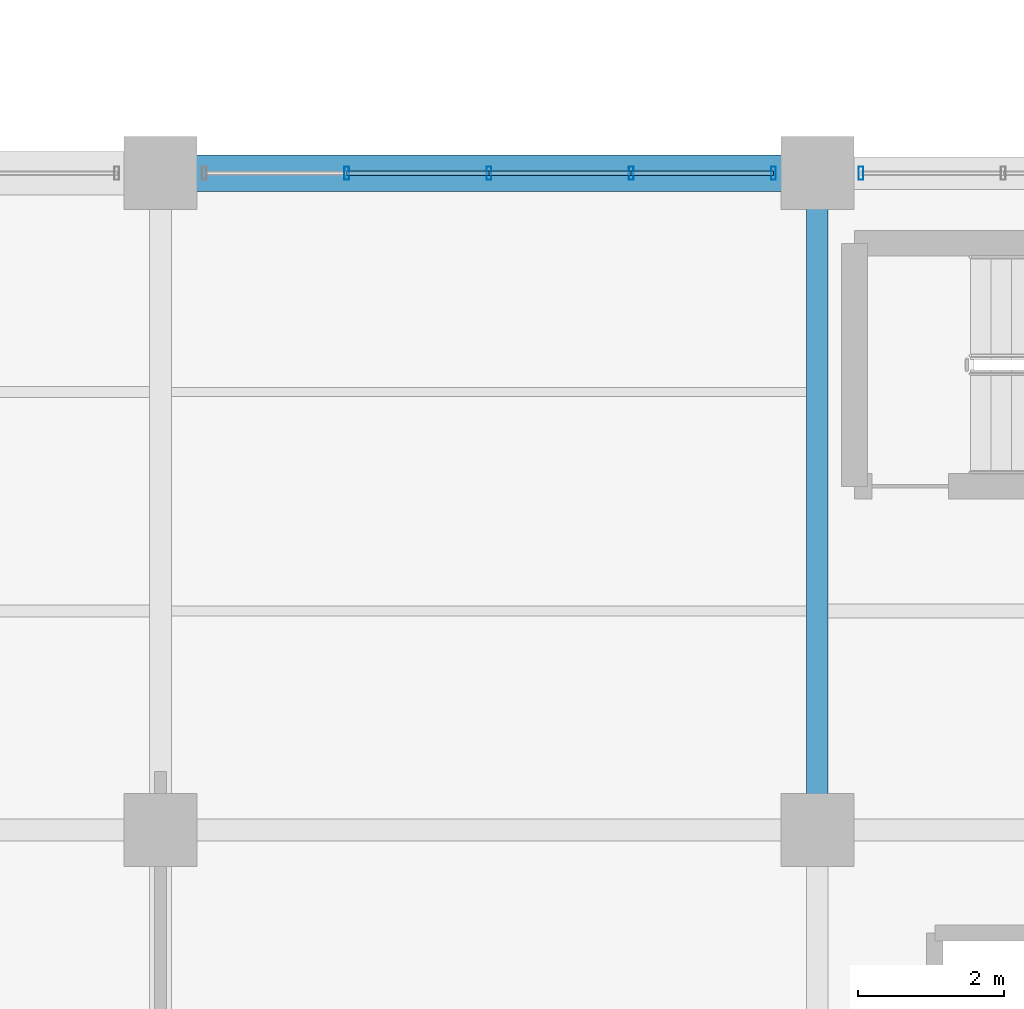
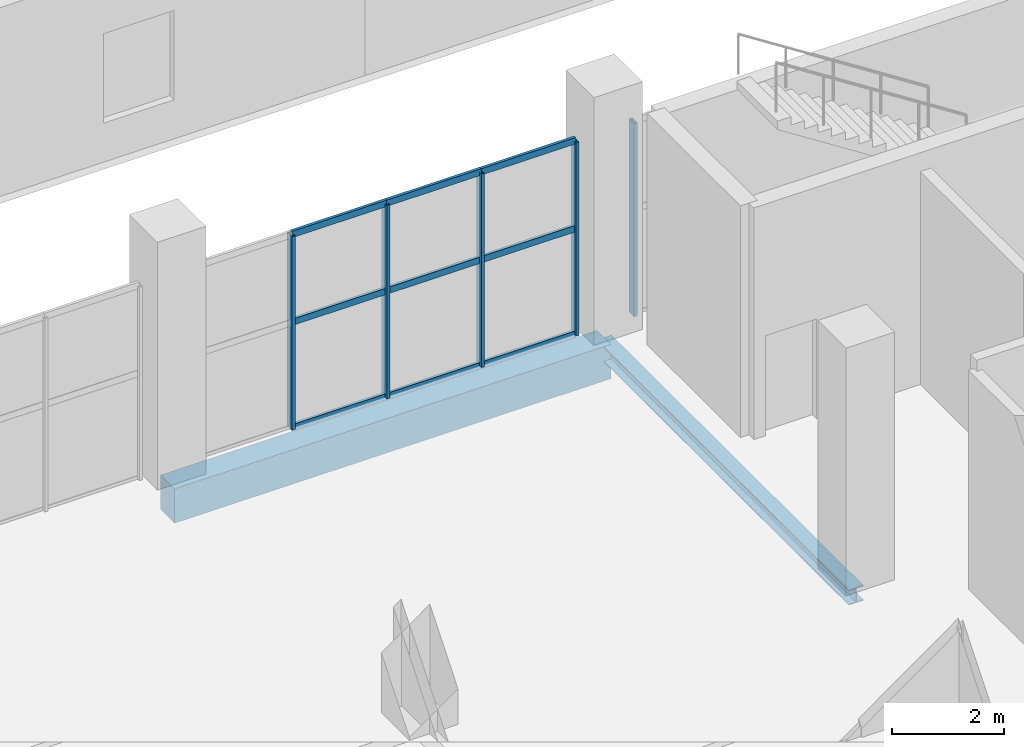
# One storey, part 54 of 147: 14 members, 2 beams, 2 elements without a shape of their own.
"""IFC4 building model written with IfcOpenShell, lengths in metres."""

from ifc_helpers import new_model, si_unit, direction, frame, origin, origin_2d, place, context, subcontext, project, spatial, rectangle, hollow_rectangle, i_section, extrude, material, layer, layer_set, material_profile, profile_set, type_object, element, aggregate, save


model = new_model("IFC4")

# Units and contexts
model_context = context("Model", 3, precision=1e-05, world=origin(), true_north=direction((0.0, 1.0)))
body_context = subcontext(model_context, "Body", "Model", "MODEL_VIEW")
ifc_project = project(units=[si_unit("LENGTHUNIT", "METRE"), si_unit("AREAUNIT", "SQUARE_METRE"), si_unit("VOLUMEUNIT", "CUBIC_METRE"), si_unit("PLANEANGLEUNIT", "RADIAN"), si_unit("MASSUNIT", "GRAM", prefix="KILO")], contexts=[model_context])

# Site, building, storey
site_placement = place(None, origin())
site = spatial("IfcSite", under=ifc_project, at=site_placement, CompositionType="ELEMENT")
building_placement = place(site_placement, origin())
building = spatial("IfcBuilding", under=site, at=building_placement, Name="Sundgate Opera House", CompositionType="ELEMENT")
storey_placement = place(building_placement, frame((0.0, 0.0, 6.0)))
storey = spatial("IfcBuildingStorey", under=building, at=storey_placement, Name="L01", CompositionType="ELEMENT", Elevation=6.0)

# Beams
ifc_material_1 = material(Name="Steel S355J2", Category="steel")
ifc_material_profile_1 = material_profile(ifc_material_1, i_section(OverallWidth=0.300048828125, OverallDepth=0.330078125, WebThickness=0.009521484375, FlangeThickness=0.0166015625, at=origin_2d()), Name="HEA 340")
ifc_profile_set_1 = profile_set([ifc_material_profile_1], Name="Steel S355J2")
beam_type_1 = type_object("IfcBeamType", Name="BM-GR-HEA340", PredefinedType="BEAM", material=ifc_profile_set_1)
beam_1_placement = place(storey_placement, frame((63.0, 69.0, -0.465087890625), z_axis=(0.0, 1.0, 0.0), x_axis=(-1.0, 0.0, 0.0)))
element("IfcBeam", 1, at=beam_1_placement, inside=storey, type_object=beam_type_1, Name="L01 Primary N-S Girder B1129", PredefinedType="BEAM", context=body_context, shape_type="SweptSolid", body=[
    extrude(i_section(OverallWidth=0.300048828125, OverallDepth=0.330078125, WebThickness=0.009521484375, FlangeThickness=0.0166015625, at=origin_2d()), origin(), (0.0, 0.0, 1.0), 9.0),
])
ifc_material_2 = material(Name="Concrete C40/50", Category="concrete")
ifc_material_profile_2 = material_profile(ifc_material_2, rectangle(XDim=0.5, YDim=0.75, at=origin_2d()), Name="RC 500x750")
ifc_profile_set_2 = profile_set([ifc_material_profile_2], Name="Concrete C40/50")
beam_type_2 = type_object("IfcBeamType", Name="BM-RC-500x750", PredefinedType="BEAM", material=ifc_profile_set_2)
beam_2_placement = place(storey_placement, frame((54.0, 78.0, -0.675048828125), z_axis=(1.0, 0.0, 0.0), x_axis=(0.0, 1.0, 0.0)))
element("IfcBeam", 2, at=beam_2_placement, inside=storey, type_object=beam_type_2, Name="L01 Primary E-W Girder B1376", PredefinedType="BEAM", context=body_context, shape_type="SweptSolid", body=[
    extrude(rectangle(XDim=0.5, YDim=0.75, at=origin_2d()), origin(), (0.0, 0.0, 1.0), 9.0),
])

# Curtain wall, members
ifc_material_3 = material(Name="Anodized aluminium and low-iron glass", Category="aluminium")
ifc_layer = layer(ifc_material_3, 0.179931640625)
ifc_layer_set = layer_set([ifc_layer], Name="Anodized aluminium and low-iron glass")
curtain_wall_type = type_object("IfcCurtainWallType", Name="CW-FOYER-GLASS", PredefinedType="NOTDEFINED", material=ifc_layer_set)
curtain_wall_1_placement = place(storey_placement, origin())
curtain_wall_1 = element("IfcCurtainWall", 3, at=curtain_wall_1_placement, inside=storey, type_object=curtain_wall_type, Name="L01 Curtain Wall CW017", PredefinedType="NOTDEFINED")
ifc_material_4 = material(Name="Anodized aluminium EN AW-6063", Category="aluminium")
ifc_material_profile_3 = material_profile(ifc_material_4, hollow_rectangle(XDim=0.06494140625, YDim=0.179931640625, WallThickness=0.00390625, at=origin_2d()), Name="CWM 180x65x4")
ifc_profile_set_3 = profile_set([ifc_material_profile_3], Name="Anodized aluminium EN AW-6063")
member_type_1 = type_object("IfcMemberType", Name="CWM-ALU-180x65", PredefinedType="MULLION", material=ifc_profile_set_3)
member_1_placement = place(storey_placement, frame((56.550048828125, 78.0, 0.0), z_axis=(0.0, 0.0, 1.0), x_axis=(1.0, 0.0, 0.0)))
member_1 = element("IfcMember", 4, at=member_1_placement, type_object=member_type_1, Name="CW017 Mullion 2", PredefinedType="MULLION", context=body_context, shape_type="SweptSolid", body=[
    extrude(hollow_rectangle(XDim=0.06494140625, YDim=0.179931640625, WallThickness=0.00390625, at=origin_2d()), origin(), (0.0, 0.0, 1.0), 4.215087890625),
])
member_2_placement = place(storey_placement, frame((58.5, 78.0, 0.0), z_axis=(0.0, 0.0, 1.0), x_axis=(1.0, 0.0, 0.0)))
member_2 = element("IfcMember", 5, at=member_2_placement, type_object=member_type_1, Name="CW017 Mullion 3", PredefinedType="MULLION", context=body_context, shape_type="SweptSolid", body=[
    extrude(hollow_rectangle(XDim=0.06494140625, YDim=0.179931640625, WallThickness=0.00390625, at=origin_2d()), origin(), (0.0, 0.0, 1.0), 4.215087890625),
])
member_3_placement = place(storey_placement, frame((60.449951171875, 78.0, 0.0), z_axis=(0.0, 0.0, 1.0), x_axis=(1.0, 0.0, 0.0)))
member_3 = element("IfcMember", 6, at=member_3_placement, type_object=member_type_1, Name="CW017 Mullion 4", PredefinedType="MULLION", context=body_context, shape_type="SweptSolid", body=[
    extrude(hollow_rectangle(XDim=0.06494140625, YDim=0.179931640625, WallThickness=0.00390625, at=origin_2d()), origin(), (0.0, 0.0, 1.0), 4.215087890625),
])
member_4_placement = place(storey_placement, frame((62.39990234375, 78.0, 0.0), z_axis=(0.0, 0.0, 1.0), x_axis=(1.0, 0.0, 0.0)))
member_4 = element("IfcMember", 7, at=member_4_placement, type_object=member_type_1, Name="CW017 Mullion 5", PredefinedType="MULLION", context=body_context, shape_type="SweptSolid", body=[
    extrude(hollow_rectangle(XDim=0.06494140625, YDim=0.179931640625, WallThickness=0.00390625, at=origin_2d()), origin(), (0.0, 0.0, 1.0), 4.215087890625),
])

# Curtain wall, member
curtain_wall_2_placement = place(storey_placement, origin())
curtain_wall_2 = element("IfcCurtainWall", 8, at=curtain_wall_2_placement, inside=storey, type_object=curtain_wall_type, Name="L01 Curtain Wall CW018", PredefinedType="NOTDEFINED")
member_5_placement = place(storey_placement, frame((63.60009765625, 78.0, 0.0), z_axis=(0.0, 0.0, 1.0), x_axis=(1.0, 0.0, 0.0)))
member_5 = element("IfcMember", 9, at=member_5_placement, type_object=member_type_1, Name="CW018 Mullion 1", PredefinedType="MULLION", context=body_context, shape_type="SweptSolid", body=[
    extrude(hollow_rectangle(XDim=0.06494140625, YDim=0.179931640625, WallThickness=0.00390625, at=origin_2d()), origin(), (0.0, 0.0, 1.0), 4.215087890625),
])
aggregate(curtain_wall_2, [member_5])

# Member
ifc_material_5 = material(Name="Anodized aluminium EN AW-6063", Category="aluminium")
ifc_material_profile_4 = material_profile(ifc_material_5, hollow_rectangle(XDim=0.06005859375, YDim=0.139892578125, WallThickness=0.00390625, at=origin_2d()), Name="CWT 140x60x4")
ifc_profile_set_4 = profile_set([ifc_material_profile_4], Name="Anodized aluminium EN AW-6063")
member_type_2 = type_object("IfcMemberType", Name="CWT-ALU-140x60", PredefinedType="USERDEFINED", material=ifc_profile_set_4)
member_6_placement = place(storey_placement, frame((56.550048828125, 78.0, 0.0), z_axis=(1.0, 0.0, 0.0), x_axis=(0.0, 1.0, 0.0)))
member_6 = element("IfcMember", 10, at=member_6_placement, type_object=member_type_2, Name="CW017 Transom 4", ObjectType="TRANSOM", PredefinedType="USERDEFINED", context=body_context, shape_type="SweptSolid", body=[
    extrude(hollow_rectangle(XDim=0.06005859375, YDim=0.139892578125, WallThickness=0.00390625, at=origin_2d()), origin(), (0.0, 0.0, 1.0), 1.949951171875),
])

member_7_placement = place(storey_placement, frame((56.550048828125, 78.0, 2.300048828125), z_axis=(1.0, 0.0, 0.0), x_axis=(0.0, 1.0, 0.0)))
member_7 = element("IfcMember", 11, at=member_7_placement, type_object=member_type_2, Name="CW017 Transom 5", ObjectType="TRANSOM", PredefinedType="USERDEFINED", context=body_context, shape_type="SweptSolid", body=[
    extrude(hollow_rectangle(XDim=0.06005859375, YDim=0.139892578125, WallThickness=0.00390625, at=origin_2d()), origin(), (0.0, 0.0, 1.0), 1.949951171875),
])

member_8_placement = place(storey_placement, frame((56.550048828125, 78.0, 4.215087890625), z_axis=(1.0, 0.0, 0.0), x_axis=(0.0, 1.0, 0.0)))
member_8 = element("IfcMember", 12, at=member_8_placement, type_object=member_type_2, Name="CW017 Transom 6", ObjectType="TRANSOM", PredefinedType="USERDEFINED", context=body_context, shape_type="SweptSolid", body=[
    extrude(hollow_rectangle(XDim=0.06005859375, YDim=0.139892578125, WallThickness=0.00390625, at=origin_2d()), origin(), (0.0, 0.0, 1.0), 1.949951171875),
])

member_9_placement = place(storey_placement, frame((58.5, 78.0, 0.0), z_axis=(1.0, 0.0, 0.0), x_axis=(0.0, 1.0, 0.0)))
member_9 = element("IfcMember", 13, at=member_9_placement, type_object=member_type_2, Name="CW017 Transom 7", ObjectType="TRANSOM", PredefinedType="USERDEFINED", context=body_context, shape_type="SweptSolid", body=[
    extrude(hollow_rectangle(XDim=0.06005859375, YDim=0.139892578125, WallThickness=0.00390625, at=origin_2d()), origin(), (0.0, 0.0, 1.0), 1.949951171875),
])

member_10_placement = place(storey_placement, frame((58.5, 78.0, 2.300048828125), z_axis=(1.0, 0.0, 0.0), x_axis=(0.0, 1.0, 0.0)))
member_10 = element("IfcMember", 14, at=member_10_placement, type_object=member_type_2, Name="CW017 Transom 8", ObjectType="TRANSOM", PredefinedType="USERDEFINED", context=body_context, shape_type="SweptSolid", body=[
    extrude(hollow_rectangle(XDim=0.06005859375, YDim=0.139892578125, WallThickness=0.00390625, at=origin_2d()), origin(), (0.0, 0.0, 1.0), 1.949951171875),
])

member_11_placement = place(storey_placement, frame((58.5, 78.0, 4.215087890625), z_axis=(1.0, 0.0, 0.0), x_axis=(0.0, 1.0, 0.0)))
member_11 = element("IfcMember", 15, at=member_11_placement, type_object=member_type_2, Name="CW017 Transom 9", ObjectType="TRANSOM", PredefinedType="USERDEFINED", context=body_context, shape_type="SweptSolid", body=[
    extrude(hollow_rectangle(XDim=0.06005859375, YDim=0.139892578125, WallThickness=0.00390625, at=origin_2d()), origin(), (0.0, 0.0, 1.0), 1.949951171875),
])

member_12_placement = place(storey_placement, frame((60.449951171875, 78.0, 0.0), z_axis=(1.0, 0.0, 0.0), x_axis=(0.0, 1.0, 0.0)))
member_12 = element("IfcMember", 16, at=member_12_placement, type_object=member_type_2, Name="CW017 Transom 10", ObjectType="TRANSOM", PredefinedType="USERDEFINED", context=body_context, shape_type="SweptSolid", body=[
    extrude(hollow_rectangle(XDim=0.06005859375, YDim=0.139892578125, WallThickness=0.00390625, at=origin_2d()), origin(), (0.0, 0.0, 1.0), 1.949951171875),
])

member_13_placement = place(storey_placement, frame((60.449951171875, 78.0, 2.300048828125), z_axis=(1.0, 0.0, 0.0), x_axis=(0.0, 1.0, 0.0)))
member_13 = element("IfcMember", 17, at=member_13_placement, type_object=member_type_2, Name="CW017 Transom 11", ObjectType="TRANSOM", PredefinedType="USERDEFINED", context=body_context, shape_type="SweptSolid", body=[
    extrude(hollow_rectangle(XDim=0.06005859375, YDim=0.139892578125, WallThickness=0.00390625, at=origin_2d()), origin(), (0.0, 0.0, 1.0), 1.949951171875),
])

member_14_placement = place(storey_placement, frame((60.449951171875, 78.0, 4.215087890625), z_axis=(1.0, 0.0, 0.0), x_axis=(0.0, 1.0, 0.0)))
member_14 = element("IfcMember", 18, at=member_14_placement, type_object=member_type_2, Name="CW017 Transom 12", ObjectType="TRANSOM", PredefinedType="USERDEFINED", context=body_context, shape_type="SweptSolid", body=[
    extrude(hollow_rectangle(XDim=0.06005859375, YDim=0.139892578125, WallThickness=0.00390625, at=origin_2d()), origin(), (0.0, 0.0, 1.0), 1.949951171875),
])

aggregate(curtain_wall_1, [member_1, member_2, member_3, member_4, member_6, member_7, member_8, member_9, member_10, member_11, member_12, member_13, member_14])

save(model, "model.ifc")
